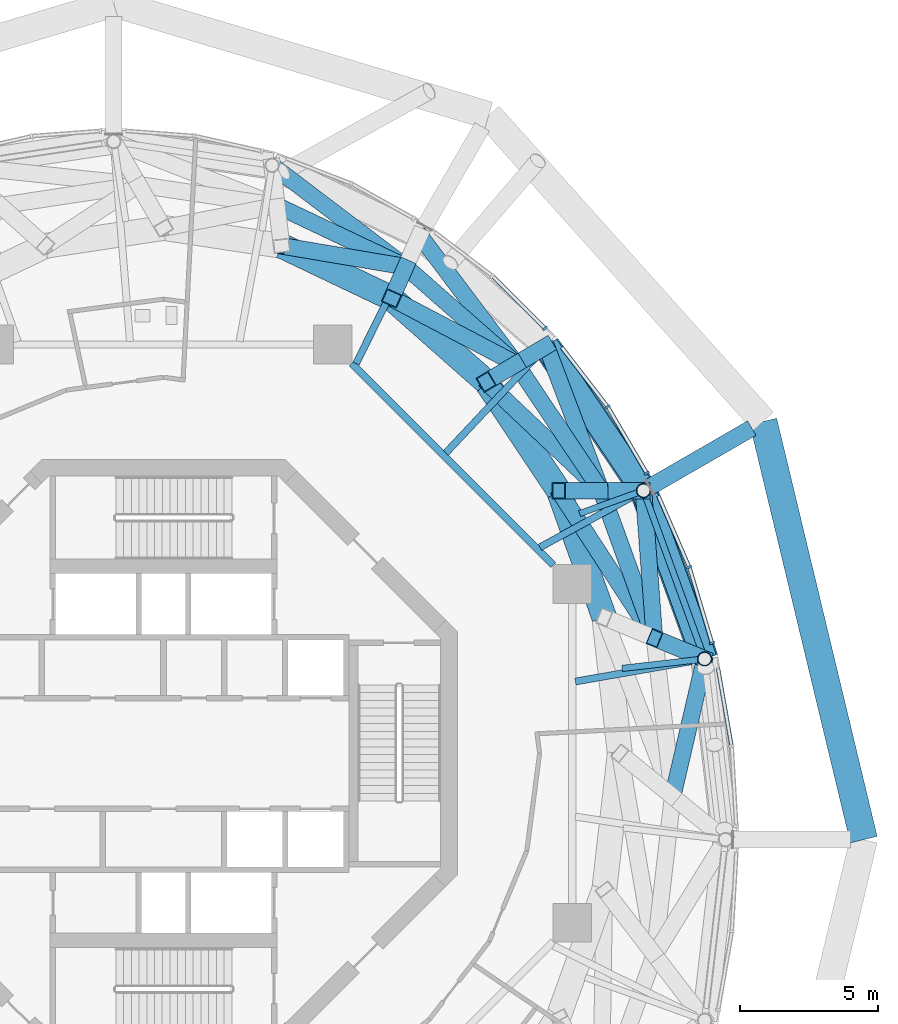
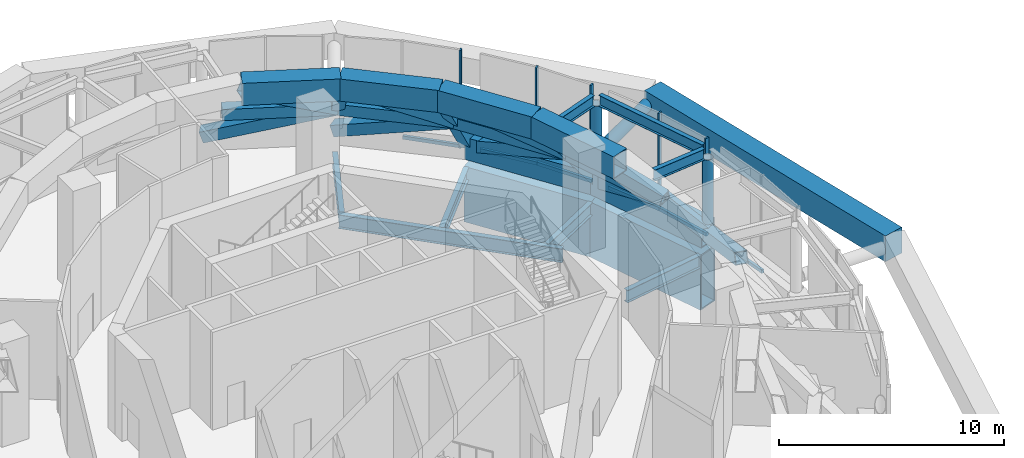
# One storey, part 10 of 22: 35 beams, 15 members, 6 elements without a shape of their own.
"""IFC4 building model written with IfcOpenShell, lengths in metres."""

import ifcopenshell
import ifcopenshell.guid

model = None  # the IFC model being written
_history = None  # IfcOwnerHistory: only IFC2X3 demands one
_inside = {}  # id of a spatial element -> (the spatial element, [elements in it])
_under = {}  # id of a project, library or spatial element -> (it, [spatial elements below it])
_declared = {}  # id of a project -> (the project, [libraries it declares])
_typed = {}  # id of a type object -> (the type object, [elements of that type])
_made_of = {}  # id of a material, layer set ... -> (it, [elements and type objects made of it])


def new_model(schema):
    """Start an empty IFC model of exactly this schema.

    Asked for "IFC4X3", IfcOpenShell would pick the latest addendum, in which some entities
    have other attributes; the version numbers below select the first issue.
    IFC2X3 requires an IfcOwnerHistory on every rooted entity: one is made here for all.
    """
    global model, _history
    if schema == "IFC4X3":
        model = ifcopenshell.file(schema_version=(4, 3, 0, 0))
    else:
        model = ifcopenshell.file(schema=schema)
    _inside.clear()
    _under.clear()
    _declared.clear()
    _typed.clear()
    _made_of.clear()
    _history = None
    if model.schema == "IFC2X3":
        org = make("IfcOrganization", Name="unknown")
        user = make(
            "IfcPersonAndOrganization",
            ThePerson=make("IfcPerson", FamilyName="unknown"),
            TheOrganization=org,
        )
        app = make(
            "IfcApplication",
            ApplicationDeveloper=org,
            Version="unknown",
            ApplicationFullName="unknown",
            ApplicationIdentifier="unknown",
        )
        _history = make(
            "IfcOwnerHistory",
            OwningUser=user,
            OwningApplication=app,
            ChangeAction="ADDED",
            CreationDate=0,
        )
    return model


def make(cls, **values):
    """One entity of the class cls with the attributes given. An attribute that is None is left unset."""
    return model.create_entity(
        cls, **{name: value for name, value in values.items() if value is not None}
    )


def rooted(cls, **values):
    """An entity with a GlobalId (a new one), such as an element, a storey or a relation."""
    return make(cls, GlobalId=ifcopenshell.guid.new(), OwnerHistory=_history, **values)


def si_unit(unit_type, name, prefix=None):
    """IfcSIUnit, for example si_unit("LENGTHUNIT", "METRE", prefix="MILLI")."""
    return make("IfcSIUnit", UnitType=unit_type, Prefix=prefix, Name=name)


def assignment(units):
    """IfcUnitAssignment: the units of a project."""
    return None if units is None else make("IfcUnitAssignment", Units=units)


def point(xyz):
    """IfcCartesianPoint."""
    return None if xyz is None else make("IfcCartesianPoint", Coordinates=xyz)


def direction(xyz):
    """IfcDirection."""
    return None if xyz is None else make("IfcDirection", DirectionRatios=xyz)


def frame(location, z_axis=None, x_axis=None):
    """IfcAxis2Placement3D, a coordinate frame: its origin and axes. An axis left out is left unset."""
    return make(
        "IfcAxis2Placement3D",
        Location=point(location),
        Axis=direction(z_axis),
        RefDirection=direction(x_axis),
    )


def frame_2d(location, x_axis=None):
    """IfcAxis2Placement2D, a coordinate frame in the plane: its origin and x axis."""
    return make(
        "IfcAxis2Placement2D", Location=point(location), RefDirection=direction(x_axis)
    )


def origin():
    """The frame at (0, 0, 0) with its axes left unset."""
    return frame((0.0, 0.0, 0.0))


def origin_2d():
    """The frame at (0, 0) in the plane with its x axis left unset."""
    return frame_2d((0.0, 0.0))


def place(relative_to, where):
    """IfcLocalPlacement: puts the frame where relative to a parent placement (None: the world)."""
    return make(
        "IfcLocalPlacement", PlacementRelTo=relative_to, RelativePlacement=where
    )


def context(
    kind, dimensions, precision=None, world=None, true_north=None, identifier=None
):
    """IfcGeometricRepresentationContext, for example the 3D "Model" context."""
    return make(
        "IfcGeometricRepresentationContext",
        ContextIdentifier=identifier,
        ContextType=kind,
        CoordinateSpaceDimension=dimensions,
        Precision=precision,
        WorldCoordinateSystem=world,
        TrueNorth=true_north,
    )


def subcontext(parent, identifier, kind, view, scale=None):
    """IfcGeometricRepresentationSubContext, for example "Body" below "Model"."""
    return make(
        "IfcGeometricRepresentationSubContext",
        ContextIdentifier=identifier,
        ContextType=kind,
        ParentContext=parent,
        TargetScale=scale,
        TargetView=view,
    )


def project(units=None, contexts=None):
    """IfcProject with its units and contexts."""
    return rooted(
        "IfcProject",
        Name="project",
        RepresentationContexts=contexts,
        UnitsInContext=assignment(units),
    )


def spatial(cls, under=None, at=None, **own):
    """A site, building, storey or space (cls), placed at a placement, below another one or the project."""
    s = rooted(cls, ObjectPlacement=at, **own)
    if under is not None:
        _under.setdefault(under.id(), (under, []))[1].append(s)
    return s


def profile(cls, at=None, kind="AREA", **sizes):
    """A parametric profile (cls). Its sizes go by their IFC names, for example OverallWidth=200.0."""
    return make(cls, ProfileType=kind, Position=at, **sizes)


def rectangle(**sizes):
    """IfcRectangleProfileDef."""
    return profile("IfcRectangleProfileDef", **sizes)


def hollow_rectangle(**sizes):
    """IfcRectangleHollowProfileDef."""
    return profile("IfcRectangleHollowProfileDef", **sizes)


def hollow_circle(**sizes):
    """IfcCircleHollowProfileDef."""
    return profile("IfcCircleHollowProfileDef", **sizes)


def i_section(**sizes):
    """IfcIShapeProfileDef."""
    return profile("IfcIShapeProfileDef", **sizes)


def extrude(swept, where, along, depth):
    """IfcExtrudedAreaSolid: the profile swept, set in the frame where, extruded along a direction by depth."""
    return make(
        "IfcExtrudedAreaSolid",
        SweptArea=swept,
        Position=where,
        ExtrudedDirection=direction(along),
        Depth=depth,
    )


def shape(context_of_items, identifier, shape_type, items):
    """IfcShapeRepresentation: the items that make up one representation, for example the "Body"."""
    return make(
        "IfcShapeRepresentation",
        ContextOfItems=context_of_items,
        RepresentationIdentifier=identifier,
        RepresentationType=shape_type,
        Items=items,
    )


def material(Name=None, Category=None):
    """IfcMaterial."""
    return make("IfcMaterial", Name=Name, Category=Category)


def layer(
    of_material, thickness, ventilated=None, Name=None, Category=None, Priority=None
):
    """IfcMaterialLayer: one layer of a wall or slab, of a material (None: an air gap)."""
    return make(
        "IfcMaterialLayer",
        Material=of_material,
        LayerThickness=thickness,
        IsVentilated=ventilated,
        Name=Name,
        Category=Category,
        Priority=Priority,
    )


def layer_set(layers, Name=None):
    """IfcMaterialLayerSet."""
    return make("IfcMaterialLayerSet", MaterialLayers=layers, LayerSetName=Name)


def material_profile(
    of_material, cross_section, Name=None, Category=None, Priority=None
):
    """IfcMaterialProfile: a cross section and its material."""
    return make(
        "IfcMaterialProfile",
        Name=Name,
        Material=of_material,
        Profile=cross_section,
        Priority=Priority,
        Category=Category,
    )


def profile_set(profiles, Name=None, composite=None):
    """IfcMaterialProfileSet."""
    return make(
        "IfcMaterialProfileSet",
        Name=Name,
        MaterialProfiles=profiles,
        CompositeProfile=composite,
    )


def made_of(thing, what):
    """Note that an element or type object is made of a material, layer set ...; save() writes the relation."""
    if what is not None:
        _made_of.setdefault(what.id(), (what, []))[1].append(thing)
    return thing


def type_object(cls, material=None, **own):
    """A type object (cls), such as IfcWallType, which elements share."""
    return made_of(rooted(cls, **own), material)


def element(
    cls,
    number,
    at=None,
    inside=None,
    cuts=None,
    type_object=None,
    material=None,
    context=None,
    identifier="Body",
    shape_type=None,
    held_by="IfcProductDefinitionShape",
    body=None,
    shapes=None,
    **own,
):
    """One element of the class cls, such as IfcWall. Its Tag is "e" and its number.

    at: its placement. inside: the storey or other place that contains it. cuts: it is an
    opening in that element (IfcRelVoidsElement). A single representation is given by context,
    identifier, shape_type and body (its items); several are given by shapes. held_by: the class
    of the entity that holds the representations. save() writes the other relations.
    """
    e = rooted(cls, Tag="e%d" % number, ObjectPlacement=at, **own)
    if body is not None:
        shapes = [shape(context, identifier, shape_type, body)]
    if shapes is not None:
        e.Representation = make(held_by, Representations=shapes)
    if inside is not None:
        _inside.setdefault(inside.id(), (inside, []))[1].append(e)
    if cuts is not None:
        rooted(
            "IfcRelVoidsElement", RelatingBuildingElement=cuts, RelatedOpeningElement=e
        )
    if type_object is not None:
        _typed.setdefault(type_object.id(), (type_object, []))[1].append(e)
    return made_of(e, material)


def aggregate(whole, parts):
    """IfcRelAggregates: a whole, such as a stair, and the parts it consists of."""
    return rooted("IfcRelAggregates", RelatingObject=whole, RelatedObjects=parts)


def save(model, path):
    """Write the relations noted so far, then the file.

    IfcRelAggregates (storeys below a building ...), IfcRelContainedInSpatialStructure (elements
    in a storey), IfcRelDefinesByType, IfcRelAssociatesMaterial and IfcRelDeclares: one each for
    every whole, place, type object, material and project.
    """
    for whole, parts in _under.values():
        aggregate(whole, parts)
    for where, things in _inside.values():
        rooted(
            "IfcRelContainedInSpatialStructure",
            RelatedElements=things,
            RelatingStructure=where,
        )
    for kind, things in _typed.values():
        rooted("IfcRelDefinesByType", RelatedObjects=things, RelatingType=kind)
    for what, things in _made_of.values():
        rooted("IfcRelAssociatesMaterial", RelatedObjects=things, RelatingMaterial=what)
    for by, libraries in _declared.values():
        rooted("IfcRelDeclares", RelatingContext=by, RelatedDefinitions=libraries)
    model.write(path)


model = new_model("IFC4")

# Units and contexts
model_context = context("Model", 3, precision=1e-05, world=origin(), true_north=direction((0.0, 1.0)))
body_context = subcontext(model_context, "Body", "Model", "MODEL_VIEW")
ifc_project = project(units=[si_unit("LENGTHUNIT", "METRE"), si_unit("AREAUNIT", "SQUARE_METRE"), si_unit("VOLUMEUNIT", "CUBIC_METRE"), si_unit("PLANEANGLEUNIT", "RADIAN"), si_unit("MASSUNIT", "GRAM", prefix="KILO")], contexts=[model_context])

# Site, building, storey
site_placement = place(None, origin())
site = spatial("IfcSite", under=ifc_project, at=site_placement, CompositionType="ELEMENT")
building_placement = place(site_placement, origin())
building = spatial("IfcBuilding", under=site, at=building_placement, Name="Nagisa Residences", CompositionType="ELEMENT")
storey_placement = place(building_placement, frame((0.0, 0.0, 310.300048828125)))
storey = spatial("IfcBuildingStorey", under=building, at=storey_placement, Name="L77", CompositionType="ELEMENT", Elevation=310.300048828125)

# Beams
ifc_material_1 = material(Name="Steel ASTM A572 Gr 50", Category="steel")
ifc_material_profile_1 = material_profile(ifc_material_1, hollow_rectangle(XDim=0.60009765625, YDim=0.60009765625, WallThickness=0.034912109375, at=origin_2d()), Name="BX 600x600x35")
ifc_profile_set_1 = profile_set([ifc_material_profile_1], Name="Steel ASTM A572 Gr 50")
beam_type_1 = type_object("IfcBeamType", Name="Belt chord 6 BX 600x600x35", PredefinedType="BEAM", material=ifc_profile_set_1)
beam_1_placement = place(storey_placement, frame((17.751953125, 4.166259765625, 2.64990234375), z_axis=(-0.340025147767, 0.940416343375, 0.0), x_axis=(-0.940416343375, -0.340025147767, 0.0)))
element("IfcBeam", 1, at=beam_1_placement, inside=storey, type_object=beam_type_1, Name="beam:L77:bt6m02", PredefinedType="BEAM", context=body_context, shape_type="SweptSolid", body=[
    extrude(hollow_rectangle(XDim=0.60009765625, YDim=0.60009765625, WallThickness=0.034912109375, at=origin_2d()), origin(), (0.0, 0.0, 1.0), 5.673095703125),
])
beam_2_placement = place(storey_placement, frame((15.822998046875, 9.501220703125, 2.64990234375), z_axis=(-0.556558433262, 0.830808467918, 0.0), x_axis=(-0.830808467918, -0.556558433262, 0.0)))
element("IfcBeam", 2, at=beam_2_placement, inside=storey, type_object=beam_type_1, Name="beam:L77:bt6m03", PredefinedType="BEAM", context=body_context, shape_type="SweptSolid", body=[
    extrude(hollow_rectangle(XDim=0.60009765625, YDim=0.60009765625, WallThickness=0.034912109375, at=origin_2d()), origin(), (0.0, 0.0, 1.0), 5.513916015625),
])
beam_3_placement = place(storey_placement, frame((12.754150390625, 14.082275390625, 2.64990234375), z_axis=(-0.751083596494, 0.660207112259, 0.0), x_axis=(-0.660207112259, -0.751083596494, 0.0)))
element("IfcBeam", 3, at=beam_3_placement, inside=storey, type_object=beam_type_1, Name="beam:L77:bt6m04", PredefinedType="BEAM", context=body_context, shape_type="SweptSolid", body=[
    extrude(hollow_rectangle(XDim=0.60009765625, YDim=0.60009765625, WallThickness=0.034912109375, at=origin_2d()), origin(), (0.0, 0.0, 1.0), 5.32470703125),
])
beam_4_placement = place(storey_placement, frame((8.7548828125, 17.59765625, 2.64990234375), z_axis=(-0.90345410407, 0.428684828096, 0.0), x_axis=(-0.428684828096, -0.90345410407, 0.0)))
element("IfcBeam", 4, at=beam_4_placement, inside=storey, type_object=beam_type_1, Name="beam:L77:bt6m05", PredefinedType="BEAM", context=body_context, shape_type="SweptSolid", body=[
    extrude(hollow_rectangle(XDim=0.60009765625, YDim=0.60009765625, WallThickness=0.034912109375, at=origin_2d()), origin(), (0.0, 0.0, 1.0), 5.154541015625),
])
ifc_material_2 = material(Name="Steel ASTM A572 Gr 50", Category="steel")
ifc_material_profile_2 = material_profile(ifc_material_2, hollow_rectangle(XDim=0.89990234375, YDim=1.199951171875, WallThickness=0.0400390625, at=origin_2d()), Name="BX 900x1200x40")
ifc_profile_set_2 = profile_set([ifc_material_profile_2], Name="Steel ASTM A572 Gr 50")
beam_type_2 = type_object("IfcBeamType", Name="Belt chord 6 BX 900x1200x40", PredefinedType="BEAM", material=ifc_profile_set_2)
beam_5_placement = place(storey_placement, frame((19.566162109375, 3.414794921875, 0.599853515625), z_axis=(-0.341213297121, 0.939985896632, 0.0), x_axis=(-0.939985896632, -0.341213297121, 0.0)))
element("IfcBeam", 5, at=beam_5_placement, inside=storey, type_object=beam_type_2, Name="beam:L77:bt6b02", PredefinedType="BEAM", context=body_context, shape_type="SweptSolid", body=[
    extrude(hollow_rectangle(XDim=0.89990234375, YDim=1.199951171875, WallThickness=0.0400390625, at=origin_2d()), origin(), (0.0, 0.0, 1.0), 6.47607421875),
])
beam_6_placement = place(storey_placement, frame((15.937744140625, 4.91748046875, 4.699951171875), z_axis=(-0.338488682224, 0.940970462877, 0.0), x_axis=(-0.940970462877, -0.338488682224, 0.0)))
element("IfcBeam", 6, at=beam_6_placement, inside=storey, type_object=beam_type_2, Name="beam:L77:bt6t02", PredefinedType="BEAM", context=body_context, shape_type="SweptSolid", body=[
    extrude(hollow_rectangle(XDim=0.89990234375, YDim=1.199951171875, WallThickness=0.0400390625, at=origin_2d()), origin(), (0.0, 0.0, 1.0), 4.869873046875),
])
beam_7_placement = place(storey_placement, frame((17.3564453125, 9.502197265625, 0.599853515625), z_axis=(-0.558004952096, 0.829837618716, 0.0), x_axis=(-0.829837618716, -0.558004952096, 0.0)))
element("IfcBeam", 7, at=beam_7_placement, inside=storey, type_object=beam_type_2, Name="beam:L77:bt6b03", PredefinedType="BEAM", context=body_context, shape_type="SweptSolid", body=[
    extrude(hollow_rectangle(XDim=0.89990234375, YDim=1.199951171875, WallThickness=0.0400390625, at=origin_2d()), origin(), (0.0, 0.0, 1.0), 6.299560546875),
])
beam_8_placement = place(storey_placement, frame((14.289306640625, 9.5, 4.699951171875), z_axis=(-0.554509546669, 0.832177362497, 0.0), x_axis=(-0.832177362497, -0.554509546669, 0.0)))
element("IfcBeam", 8, at=beam_8_placement, inside=storey, type_object=beam_type_2, Name="beam:L77:bt6t03", PredefinedType="BEAM", context=body_context, shape_type="SweptSolid", body=[
    extrude(hollow_rectangle(XDim=0.89990234375, YDim=1.199951171875, WallThickness=0.0400390625, at=origin_2d()), origin(), (0.0, 0.0, 1.0), 4.728515625),
])
beam_9_placement = place(storey_placement, frame((11.667236328125, 13.43505859375, 4.699951171875), z_axis=(-0.749367388162, 0.662154451438, 0.0), x_axis=(-0.662154451438, -0.749367388162, 0.0)))
element("IfcBeam", 9, at=beam_9_placement, inside=storey, type_object=beam_type_2, Name="beam:L77:bt6t04", PredefinedType="BEAM", context=body_context, shape_type="SweptSolid", body=[
    extrude(hollow_rectangle(XDim=0.89990234375, YDim=1.199951171875, WallThickness=0.0400390625, at=origin_2d()), origin(), (0.0, 0.0, 1.0), 4.56005859375),
])
beam_10_placement = place(storey_placement, frame((8.25, 16.45458984375, 4.699951171875), z_axis=(-0.902600371107, 0.430479465337, 0.0), x_axis=(-0.430479465337, -0.902600371107, 0.0)))
element("IfcBeam", 10, at=beam_10_placement, inside=storey, type_object=beam_type_2, Name="beam:L77:bt6t05", PredefinedType="BEAM", context=body_context, shape_type="SweptSolid", body=[
    extrude(hollow_rectangle(XDim=0.89990234375, YDim=1.199951171875, WallThickness=0.0400390625, at=origin_2d()), origin(), (0.0, 0.0, 1.0), 4.408935546875),
])
ifc_material_3 = material(Name="Steel ASTM A572 Gr 50", Category="steel")
ifc_material_profile_3 = material_profile(ifc_material_3, hollow_rectangle(XDim=0.60009765625, YDim=0.60009765625, WallThickness=0.034912109375, at=origin_2d()), Name="BX 600x600x35")
ifc_profile_set_3 = profile_set([ifc_material_profile_3], Name="Steel ASTM A572 Gr 50")
beam_type_3 = type_object("IfcBeamType", Name="Belt diagonal 6 BX 600x600x35", PredefinedType="BEAM", material=ifc_profile_set_3)
beam_11_placement = place(storey_placement, frame((19.566162109375, 3.414794921875, 0.599853515625), z_axis=(-0.210134772608, -0.903898983864, 0.372572146451), x_axis=(0.974025686791, -0.226437544308, 0.0)))
element("IfcBeam", 11, at=beam_11_placement, inside=storey, type_object=beam_type_3, Name="beam:L77:bt6lb01", PredefinedType="BEAM", context=body_context, shape_type="SweptSolid", body=[
    extrude(hollow_rectangle(XDim=0.60009765625, YDim=0.60009765625, WallThickness=0.034912109375, at=origin_2d()), origin(), (0.0, 0.0, 1.0), 5.50244140625),
])
beam_12_placement = place(storey_placement, frame((19.566162109375, 3.414794921875, 0.599853515625), z_axis=(-0.639077265183, 0.26471266616, 0.722154729612), x_axis=(-0.382681205745, -0.923880454805, 0.0)))
element("IfcBeam", 12, at=beam_12_placement, inside=storey, type_object=beam_type_3, Name="beam:L77:bt6la02", PredefinedType="BEAM", context=body_context, shape_type="SweptSolid", body=[
    extrude(hollow_rectangle(XDim=0.60009765625, YDim=0.60009765625, WallThickness=0.034912109375, at=origin_2d()), origin(), (0.0, 0.0, 1.0), 2.8388671875),
])
beam_13_placement = place(storey_placement, frame((17.3564453125, 9.502197265625, 0.599853515625), z_axis=(0.069025674454, -0.931250086961, 0.357783079256), x_axis=(0.997264267376, 0.073918746026, 0.0)))
element("IfcBeam", 13, at=beam_13_placement, inside=storey, type_object=beam_type_3, Name="beam:L77:bt6lb02", PredefinedType="BEAM", context=body_context, shape_type="SweptSolid", body=[
    extrude(hollow_rectangle(XDim=0.60009765625, YDim=0.60009765625, WallThickness=0.034912109375, at=origin_2d()), origin(), (0.0, 0.0, 1.0), 5.72998046875),
])
beam_14_placement = place(storey_placement, frame((17.751953125, 4.166259765625, 2.64990234375), z_axis=(-0.518249896308, 0.798294118638, 0.306828201318), x_axis=(-0.8387513612, -0.544514604106, 0.0)))
element("IfcBeam", 14, at=beam_14_placement, inside=storey, type_object=beam_type_3, Name="beam:L77:bt6ub02", PredefinedType="BEAM", context=body_context, shape_type="SweptSolid", body=[
    extrude(hollow_rectangle(XDim=0.60009765625, YDim=0.60009765625, WallThickness=0.034912109375, at=origin_2d()), origin(), (0.0, 0.0, 1.0), 6.681396484375),
])
beam_15_placement = place(storey_placement, frame((17.3564453125, 9.502197265625, 0.599853515625), z_axis=(-0.598977171402, -0.000381453381, 0.800766009913), x_axis=(0.000636841138, -0.999999797217, 0.0)))
element("IfcBeam", 15, at=beam_15_placement, inside=storey, type_object=beam_type_3, Name="beam:L77:bt6la03", PredefinedType="BEAM", context=body_context, shape_type="SweptSolid", body=[
    extrude(hollow_rectangle(XDim=0.60009765625, YDim=0.60009765625, WallThickness=0.034912109375, at=origin_2d()), origin(), (0.0, 0.0, 1.0), 2.56005859375),
])
beam_16_placement = place(storey_placement, frame((13.84130859375, 14.729736328125, 0.599853515625), z_axis=(0.332753273257, -0.877940630785, 0.344231764881), x_axis=(0.935088861, 0.354413349119, 0.0)))
element("IfcBeam", 16, at=beam_16_placement, inside=storey, type_object=beam_type_3, Name="beam:L77:bt6lb03", PredefinedType="BEAM", context=body_context, shape_type="SweptSolid", body=[
    extrude(hollow_rectangle(XDim=0.60009765625, YDim=0.60009765625, WallThickness=0.034912109375, at=origin_2d()), origin(), (0.0, 0.0, 1.0), 5.955322265625),
])
beam_17_placement = place(storey_placement, frame((15.822998046875, 9.501220703125, 2.64990234375), z_axis=(-0.599038291141, -0.000476789471, 0.800720237298), x_axis=(0.000795924613, -0.999999683252, 0.0)))
element("IfcBeam", 17, at=beam_17_placement, inside=storey, type_object=beam_type_3, Name="beam:L77:bt6ua03", PredefinedType="BEAM", context=body_context, shape_type="SweptSolid", body=[
    extrude(hollow_rectangle(XDim=0.60009765625, YDim=0.60009765625, WallThickness=0.034912109375, at=origin_2d()), origin(), (0.0, 0.0, 1.0), 2.560302734375),
])
beam_18_placement = place(storey_placement, frame((15.822998046875, 9.501220703125, 2.64990234375), z_axis=(-0.683682353073, 0.647172703271, 0.337262408575), x_axis=(-0.687449927284, -0.726231779446, 0.0)))
element("IfcBeam", 18, at=beam_18_placement, inside=storey, type_object=beam_type_3, Name="beam:L77:bt6ub03", PredefinedType="BEAM", context=body_context, shape_type="SweptSolid", body=[
    extrude(hollow_rectangle(XDim=0.60009765625, YDim=0.60009765625, WallThickness=0.034912109375, at=origin_2d()), origin(), (0.0, 0.0, 1.0), 6.07861328125),
])
beam_19_placement = place(storey_placement, frame((13.84130859375, 14.729736328125, 0.599853515625), z_axis=(-0.451269335893, -0.268755059238, 0.850956347068), x_axis=(0.511683976473, -0.85917373576, 0.0)))
element("IfcBeam", 19, at=beam_19_placement, inside=storey, type_object=beam_type_3, Name="beam:L77:bt6la04", PredefinedType="BEAM", context=body_context, shape_type="SweptSolid", body=[
    extrude(hollow_rectangle(XDim=0.60009765625, YDim=0.60009765625, WallThickness=0.034912109375, at=origin_2d()), origin(), (0.0, 0.0, 1.0), 2.4091796875),
])
beam_20_placement = place(storey_placement, frame((9.260009765625, 18.74072265625, 0.599853515625), z_axis=(0.565984669335, -0.75458031551, 0.332069121605), x_axis=(0.799974844174, 0.600033539637, 0.0)))
element("IfcBeam", 20, at=beam_20_placement, inside=storey, type_object=beam_type_3, Name="beam:L77:bt6lb04", PredefinedType="BEAM", context=body_context, shape_type="SweptSolid", body=[
    extrude(hollow_rectangle(XDim=0.60009765625, YDim=0.60009765625, WallThickness=0.034912109375, at=origin_2d()), origin(), (0.0, 0.0, 1.0), 6.173583984375),
])
beam_21_placement = place(storey_placement, frame((12.754150390625, 14.082275390625, 2.64990234375), z_axis=(-0.451200915009, -0.268673321134, 0.851018437406), x_axis=(0.511626356261, -0.859208049066, 0.0)))
element("IfcBeam", 21, at=beam_21_placement, inside=storey, type_object=beam_type_3, Name="beam:L77:bt6ua04", PredefinedType="BEAM", context=body_context, shape_type="SweptSolid", body=[
    extrude(hollow_rectangle(XDim=0.60009765625, YDim=0.60009765625, WallThickness=0.034912109375, at=origin_2d()), origin(), (0.0, 0.0, 1.0), 2.408935546875),
])
beam_22_placement = place(storey_placement, frame((12.754150390625, 14.082275390625, 2.64990234375), z_axis=(-0.820729798834, 0.432274456896, 0.373552394212), x_axis=(-0.466009297819, -0.884779822524, 0.0)))
element("IfcBeam", 22, at=beam_22_placement, inside=storey, type_object=beam_type_3, Name="beam:L77:bt6ub04", PredefinedType="BEAM", context=body_context, shape_type="SweptSolid", body=[
    extrude(hollow_rectangle(XDim=0.60009765625, YDim=0.60009765625, WallThickness=0.034912109375, at=origin_2d()), origin(), (0.0, 0.0, 1.0), 5.488037109375),
])
beam_23_placement = place(storey_placement, frame((3.925048828125, 21.26220703125, 0.599853515625), z_axis=(0.754671427022, -0.572593545954, 0.32032431748), x_axis=(0.604442887336, 0.796648477027, 0.0)))
element("IfcBeam", 23, at=beam_23_placement, inside=storey, type_object=beam_type_3, Name="beam:L77:bt6lb05", PredefinedType="BEAM", context=body_context, shape_type="SweptSolid", body=[
    extrude(hollow_rectangle(XDim=0.60009765625, YDim=0.60009765625, WallThickness=0.034912109375, at=origin_2d()), origin(), (0.0, 0.0, 1.0), 6.39990234375),
])
beam_24_placement = place(storey_placement, frame((8.7548828125, 17.59765625, 2.64990234375), z_axis=(-0.210291044104, -0.476103804881, 0.853875192137), x_axis=(0.914743704451, -0.404034596498, 0.0)))
element("IfcBeam", 24, at=beam_24_placement, inside=storey, type_object=beam_type_3, Name="beam:L77:bt6ua05", PredefinedType="BEAM", context=body_context, shape_type="SweptSolid", body=[
    extrude(hollow_rectangle(XDim=0.60009765625, YDim=0.60009765625, WallThickness=0.034912109375, at=origin_2d()), origin(), (0.0, 0.0, 1.0), 2.40087890625),
])
beam_25_placement = place(storey_placement, frame((8.7548828125, 17.59765625, 2.64990234375), z_axis=(-0.898996123358, 0.151333624424, 0.410979445113), x_axis=(-0.166000679098, -0.986125638313, 0.0)))
element("IfcBeam", 25, at=beam_25_placement, inside=storey, type_object=beam_type_3, Name="beam:L77:bt6ub05", PredefinedType="BEAM", context=body_context, shape_type="SweptSolid", body=[
    extrude(hollow_rectangle(XDim=0.60009765625, YDim=0.60009765625, WallThickness=0.034912109375, at=origin_2d()), origin(), (0.0, 0.0, 1.0), 4.98828125),
])

# Curtain wall, member
ifc_material_4 = material(Name="Aluminium curtain wall system", Category="aluminium")
ifc_layer = layer(ifc_material_4, 0.159912109375)
ifc_layer_set = layer_set([ifc_layer], Name="CW2 CURTAIN WALL")
curtain_wall_type = type_object("IfcCurtainWallType", Name="CW2 CURTAIN WALL", PredefinedType="NOTDEFINED", material=ifc_layer_set)
curtain_wall_1_placement = place(storey_placement, origin())
curtain_wall_1 = element("IfcCurtainWall", 26, at=curtain_wall_1_placement, inside=storey, type_object=curtain_wall_type, Name="cw:CW2:L77:02", PredefinedType="NOTDEFINED")
ifc_material_5 = material(Name="Aluminium", Category="aluminium")
ifc_material_profile_4 = material_profile(ifc_material_5, rectangle(XDim=0.199951171875, YDim=0.080078125, at=origin_2d()), Name="CW2 MULLION 200x80")
ifc_profile_set_4 = profile_set([ifc_material_profile_4], Name="Aluminium")
member_type_1 = type_object("IfcMemberType", Name="CW2 MULLION 200x80", PredefinedType="MULLION", material=ifc_profile_set_4)
member_1_placement = place(storey_placement, frame((19.83251953125, 3.990966796875, 0.0), z_axis=(0.0, 0.0, 1.0), x_axis=(-0.958271310082, -0.285860274038, 0.0)))
member_1 = element("IfcMember", 27, at=member_1_placement, type_object=member_type_1, Name="CW2 mullion", PredefinedType="MULLION", context=body_context, shape_type="SweptSolid", body=[
    extrude(rectangle(XDim=0.199951171875, YDim=0.080078125, at=origin_2d()), origin(), (0.0, 0.0, 1.0), 5.300048828125),
])

curtain_wall_2_placement = place(storey_placement, origin())
curtain_wall_2 = element("IfcCurtainWall", 28, at=curtain_wall_2_placement, inside=storey, type_object=curtain_wall_type, Name="cw:CW2:L77:03", PredefinedType="NOTDEFINED")
member_2_placement = place(storey_placement, frame((19.0087890625, 6.737548828125, 0.0), z_axis=(0.0, 0.0, 1.0), x_axis=(-0.917543276295, -0.397635934147, 0.0)))
member_2 = element("IfcMember", 29, at=member_2_placement, type_object=member_type_1, Name="CW2 mullion", PredefinedType="MULLION", context=body_context, shape_type="SweptSolid", body=[
    extrude(rectangle(XDim=0.199951171875, YDim=0.080078125, at=origin_2d()), origin(), (0.0, 0.0, 1.0), 5.300048828125),
])

curtain_wall_3_placement = place(storey_placement, origin())
curtain_wall_3 = element("IfcCurtainWall", 30, at=curtain_wall_3_placement, inside=storey, type_object=curtain_wall_type, Name="cw:CW2:L77:04", PredefinedType="NOTDEFINED")
member_3_placement = place(storey_placement, frame((17.472412109375, 10.13427734375, 0.0), z_axis=(0.0, 0.0, 1.0), x_axis=(-0.862328898214, -0.506348567002, 0.0)))
member_3 = element("IfcMember", 31, at=member_3_placement, type_object=member_type_1, Name="CW2 mullion", PredefinedType="MULLION", context=body_context, shape_type="SweptSolid", body=[
    extrude(rectangle(XDim=0.199951171875, YDim=0.080078125, at=origin_2d()), origin(), (0.0, 0.0, 1.0), 5.300048828125),
])

curtain_wall_4_placement = place(storey_placement, origin())
curtain_wall_4 = element("IfcCurtainWall", 32, at=curtain_wall_4_placement, inside=storey, type_object=curtain_wall_type, Name="cw:CW2:L77:05", PredefinedType="NOTDEFINED")
member_4_placement = place(storey_placement, frame((16.057861328125, 12.53466796875, 0.0), z_axis=(0.0, 0.0, 1.0), x_axis=(-0.792070340816, -0.610429828235, 0.0)))
member_4 = element("IfcMember", 33, at=member_4_placement, type_object=member_type_1, Name="CW2 mullion", PredefinedType="MULLION", context=body_context, shape_type="SweptSolid", body=[
    extrude(rectangle(XDim=0.199951171875, YDim=0.080078125, at=origin_2d()), origin(), (0.0, 0.0, 1.0), 5.300048828125),
])

curtain_wall_5_placement = place(storey_placement, origin())
curtain_wall_5 = element("IfcCurtainWall", 34, at=curtain_wall_5_placement, inside=storey, type_object=curtain_wall_type, Name="cw:CW2:L77:06", PredefinedType="NOTDEFINED")
member_5_placement = place(storey_placement, frame((13.79150390625, 15.372802734375, 0.0), z_axis=(0.0, 0.0, 1.0), x_axis=(-0.706376885714, -0.707835924016, 0.0)))
member_5 = element("IfcMember", 35, at=member_5_placement, type_object=member_type_1, Name="CW2 mullion", PredefinedType="MULLION", context=body_context, shape_type="SweptSolid", body=[
    extrude(rectangle(XDim=0.199951171875, YDim=0.080078125, at=origin_2d()), origin(), (0.0, 0.0, 1.0), 5.300048828125),
])

curtain_wall_6_placement = place(storey_placement, origin())
curtain_wall_6 = element("IfcCurtainWall", 36, at=curtain_wall_6_placement, inside=storey, type_object=curtain_wall_type, Name="cw:CW2:L77:01", PredefinedType="NOTDEFINED")
ifc_material_6 = material(Name="Aluminium", Category="aluminium")
ifc_material_profile_5 = material_profile(ifc_material_6, rectangle(XDim=0.139892578125, YDim=0.179931640625, at=origin_2d()), Name="CW2 TRANSOM 140x180")
ifc_profile_set_5 = profile_set([ifc_material_profile_5], Name="Aluminium")
member_type_2 = type_object("IfcMemberType", Name="CW2 TRANSOM 140x180", PredefinedType="USERDEFINED", material=ifc_profile_set_5)
member_6_placement = place(storey_placement, frame((20.547607421875, 0.228271484375, 0.08984375), z_axis=(-0.172196679668, 0.985062588626, 0.0), x_axis=(-0.985062588626, -0.172196679668, 0.0)))
member_6 = element("IfcMember", 37, at=member_6_placement, type_object=member_type_2, Name="CW2 transom", ObjectType="TRANSOM", PredefinedType="USERDEFINED", context=body_context, shape_type="SweptSolid", body=[
    extrude(rectangle(XDim=0.139892578125, YDim=0.179931640625, at=origin_2d()), origin(), (0.0, 0.0, 1.0), 2.90234375),
])
aggregate(curtain_wall_6, [member_6])

# Member
member_7_placement = place(storey_placement, frame((19.843994140625, 3.95263671875, 0.08984375), z_axis=(-0.285876209024, 0.9582665564, 0.0), x_axis=(-0.9582665564, -0.285876209024, 0.0)))
member_7 = element("IfcMember", 38, at=member_7_placement, type_object=member_type_2, Name="CW2 transom", ObjectType="TRANSOM", PredefinedType="USERDEFINED", context=body_context, shape_type="SweptSolid", body=[
    extrude(rectangle(XDim=0.139892578125, YDim=0.179931640625, at=origin_2d()), origin(), (0.0, 0.0, 1.0), 2.877197265625),
])

aggregate(curtain_wall_1, [member_1, member_7])

member_8_placement = place(storey_placement, frame((19.024658203125, 6.70068359375, 0.08984375), z_axis=(-0.397597791596, 0.9175598052, 0.0), x_axis=(-0.9175598052, -0.397597791596, 0.0)))
member_8 = element("IfcMember", 39, at=member_8_placement, type_object=member_type_2, Name="CW2 transom", ObjectType="TRANSOM", PredefinedType="USERDEFINED", context=body_context, shape_type="SweptSolid", body=[
    extrude(rectangle(XDim=0.139892578125, YDim=0.179931640625, at=origin_2d()), origin(), (0.0, 0.0, 1.0), 2.841064453125),
])

aggregate(curtain_wall_2, [member_2, member_8])

member_9_placement = place(storey_placement, frame((17.49267578125, 10.099853515625, 0.08984375), z_axis=(-0.506371364425, 0.862315511452, 0.0), x_axis=(-0.862315511452, -0.506371364425, 0.0)))
member_9 = element("IfcMember", 40, at=member_9_placement, type_object=member_type_2, Name="CW2 transom", ObjectType="TRANSOM", PredefinedType="USERDEFINED", context=body_context, shape_type="SweptSolid", body=[
    extrude(rectangle(XDim=0.139892578125, YDim=0.179931640625, at=origin_2d()), origin(), (0.0, 0.0, 1.0), 2.79638671875),
])

aggregate(curtain_wall_3, [member_3, member_9])

member_10_placement = place(storey_placement, frame((16.082275390625, 12.5029296875, 0.08984375), z_axis=(-0.610432336622, 0.792068407656, 0.0), x_axis=(-0.792068407656, -0.610432336622, 0.0)))
member_10 = element("IfcMember", 41, at=member_10_placement, type_object=member_type_2, Name="CW2 transom", ObjectType="TRANSOM", PredefinedType="USERDEFINED", context=body_context, shape_type="SweptSolid", body=[
    extrude(rectangle(XDim=0.139892578125, YDim=0.179931640625, at=origin_2d()), origin(), (0.0, 0.0, 1.0), 2.74609375),
])

aggregate(curtain_wall_4, [member_4, member_10])

member_11_placement = place(storey_placement, frame((13.81982421875, 15.344482421875, 0.08984375), z_axis=(-0.707876975297, 0.706335747251, 0.0), x_axis=(-0.706335747251, -0.707876975297, 0.0)))
member_11 = element("IfcMember", 42, at=member_11_placement, type_object=member_type_2, Name="CW2 transom", ObjectType="TRANSOM", PredefinedType="USERDEFINED", context=body_context, shape_type="SweptSolid", body=[
    extrude(rectangle(XDim=0.139892578125, YDim=0.179931640625, at=origin_2d()), origin(), (0.0, 0.0, 1.0), 2.69287109375),
])

aggregate(curtain_wall_5, [member_5, member_11])

# Members
ifc_material_7 = material(Name="Concrete C80", Category="concrete")
ifc_material_profile_6 = material_profile(ifc_material_7, rectangle(XDim=1.0, YDim=1.39990234375, at=origin_2d()), Name="C80 1000x1400")
ifc_profile_set_6 = profile_set([ifc_material_profile_6], Name="Concrete C80")
member_type_3 = type_object("IfcMemberType", Name="Cage ring 6 C80 1000x1400", PredefinedType="CHORD", material=ifc_profile_set_6)
member_12_placement = place(storey_placement, frame((25.320068359375, -3.11767578125, 1.89990234375), z_axis=(-0.233663309199, 0.972317570516, 0.0), x_axis=(-0.972317570516, -0.233663309199, 0.0)))
element("IfcMember", 43, at=member_12_placement, inside=storey, type_object=member_type_3, Name="beam:L77:cg6r101", PredefinedType="CHORD", context=body_context, shape_type="SweptSolid", body=[
    extrude(rectangle(XDim=1.0, YDim=1.39990234375, at=origin_2d()), origin(), (0.0, 0.0, 1.0), 15.55029296875),
])
ifc_material_8 = material(Name="Steel ASTM A572 Gr 65", Category="steel")
ifc_material_profile_7 = material_profile(ifc_material_8, hollow_circle(Radius=0.304931640625, WallThickness=0.02490234375, at=origin_2d()), Name="CHS 610x25")
ifc_profile_set_7 = profile_set([ifc_material_profile_7], Name="Steel ASTM A572 Gr 65")
member_type_4 = type_object("IfcMemberType", Name="Cage strut CHS 610x25", PredefinedType="STRUT", material=ifc_profile_set_7)
member_13_placement = place(storey_placement, frame((21.27099609375, 11.76220703125, 1.89990234375), z_axis=(-0.866051539225, -0.499954729356, 0.0), x_axis=(0.499954729356, -0.866051539225, 0.0)))
element("IfcMember", 44, at=member_13_placement, inside=storey, type_object=member_type_4, Name="mem:L77:cg6tie02", PredefinedType="STRUT", context=body_context, shape_type="SweptSolid", body=[
    extrude(hollow_circle(Radius=0.304931640625, WallThickness=0.02490234375, at=origin_2d()), origin(), (0.0, 0.0, 1.0), 4.24609375),
])

# Beam
ifc_material_9 = material(Name="Steel ASTM A572 Gr 50", Category="steel")
ifc_material_profile_8 = material_profile(ifc_material_9, i_section(OverallWidth=0.22802734375, OverallDepth=0.60302734375, WebThickness=0.010498046875, FlangeThickness=0.014892578125, at=origin_2d()), Name="W610x101")
ifc_profile_set_8 = profile_set([ifc_material_profile_8], Name="Steel ASTM A572 Gr 50")
beam_type_4 = type_object("IfcBeamType", Name="Garden edge beam W610x101", PredefinedType="BEAM", material=ifc_profile_set_8)
beam_26_placement = place(storey_placement, frame((19.486328125, 3.634765625, 4.99853515625), z_axis=(-0.341204679123, 0.939989024907, 0.0), x_axis=(-0.939989024907, -0.341204679123, 0.0)))
element("IfcBeam", 45, at=beam_26_placement, inside=storey, type_object=beam_type_4, Name="beam:L77:bt6ge02", PredefinedType="BEAM", context=body_context, shape_type="SweptSolid", body=[
    extrude(i_section(OverallWidth=0.22802734375, OverallDepth=0.60302734375, WebThickness=0.010498046875, FlangeThickness=0.014892578125, at=origin_2d()), origin(), (0.0, 0.0, 1.0), 6.00830078125),
])

# Members
ifc_material_10 = material(Name="Steel ASTM A572 Gr 65", Category="steel")
ifc_material_profile_9 = material_profile(ifc_material_10, hollow_circle(Radius=0.25390625, WallThickness=0.02001953125, at=origin_2d()), Name="CHS 508x20")
ifc_profile_set_9 = profile_set([ifc_material_profile_9], Name="Steel ASTM A572 Gr 65")
member_type_5 = type_object("IfcMemberType", Name="Garden edge post CHS 508x20", PredefinedType="POST", material=ifc_profile_set_9)
for number, where, z_axis, x_axis, name in (
    (46, (19.566162109375, 3.414794921875, 1.199951171875), (0.0, 0.0, 1.0), (1.0, 0.0, 0.0), "mem:L77:gp602"),
    (47, (17.3564453125, 9.502197265625, 1.199951171875), (0.0, 0.0, 1.0), (1.0, 0.0, 0.0), "mem:L77:gp603"),
):
    element("IfcMember", number, at=place(storey_placement, frame(where, z_axis=z_axis, x_axis=x_axis)), inside=storey, type_object=member_type_5, Name=name, PredefinedType="POST", context=body_context, shape_type="SweptSolid", body=[
        extrude(hollow_circle(Radius=0.25390625, WallThickness=0.02001953125, at=origin_2d()), origin(), (0.0, 0.0, 1.0), 3.4970703125),
    ])

# Beams
ifc_material_11 = material(Name="Steel ASTM A572 Gr 50", Category="steel")
ifc_material_profile_10 = material_profile(ifc_material_11, i_section(OverallWidth=0.22802734375, OverallDepth=0.60302734375, WebThickness=0.010498046875, FlangeThickness=0.014892578125, at=origin_2d()), Name="W610x101")
ifc_profile_set_10 = profile_set([ifc_material_profile_10], Name="Steel ASTM A572 Gr 50")
beam_type_5 = type_object("IfcBeamType", Name="Garden radial beam W610x101", PredefinedType="BEAM", material=ifc_profile_set_10)
beam_27_placement = place(storey_placement, frame((19.333740234375, 3.388427734375, 4.99853515625), z_axis=(-0.993527274644, -0.113593813821, 0.0), x_axis=(0.113593813821, -0.993527274644, 0.0)))
element("IfcBeam", 48, at=beam_27_placement, inside=storey, type_object=beam_type_5, Name="beam:L77:bt6gr02", PredefinedType="BEAM", context=body_context, shape_type="SweptSolid", body=[
    extrude(i_section(OverallWidth=0.22802734375, OverallDepth=0.60302734375, WebThickness=0.010498046875, FlangeThickness=0.014892578125, at=origin_2d()), origin(), (0.0, 0.0, 1.0), 2.770263671875),
])
beam_28_placement = place(storey_placement, frame((17.13623046875, 9.423095703125, 4.99853515625), z_axis=(-0.940961598327, -0.338513323923, 0.0), x_axis=(0.338513323923, -0.940961598327, 0.0)))
element("IfcBeam", 49, at=beam_28_placement, inside=storey, type_object=beam_type_5, Name="beam:L77:bt6gr03", PredefinedType="BEAM", context=body_context, shape_type="SweptSolid", body=[
    extrude(i_section(OverallWidth=0.22802734375, OverallDepth=0.60302734375, WebThickness=0.010498046875, FlangeThickness=0.014892578125, at=origin_2d()), origin(), (0.0, 0.0, 1.0), 2.222900390625),
])
ifc_material_12 = material(Name="Steel ASTM A572 Gr 50", Category="steel")
ifc_material_profile_11 = material_profile(ifc_material_12, i_section(OverallWidth=0.264892578125, OverallDepth=0.7529296875, WebThickness=0.01318359375, FlangeThickness=0.01708984375, at=origin_2d()), Name="W760x147")
ifc_profile_set_11 = profile_set([ifc_material_profile_11], Name="Steel ASTM A572 Gr 50")
beam_type_6 = type_object("IfcBeamType", Name="Inner ring beam W760x147", PredefinedType="BEAM", material=ifc_profile_set_11)
beam_29_placement = place(storey_placement, frame((14.09619140625, 6.808837890625, -0.7265625), z_axis=(-0.707106781187, 0.707106781187, 0.0), x_axis=(-0.707106781187, -0.707106781187, 0.0)))
element("IfcBeam", 50, at=beam_29_placement, inside=storey, type_object=beam_type_6, Name="beam:L77:ib1", PredefinedType="BEAM", context=body_context, shape_type="SweptSolid", body=[
    extrude(i_section(OverallWidth=0.264892578125, OverallDepth=0.7529296875, WebThickness=0.01318359375, FlangeThickness=0.01708984375, at=origin_2d()), origin(), (0.0, 0.0, 1.0), 10.305908203125),
])
ifc_material_13 = material(Name="Steel ASTM A572 Gr 50", Category="steel")
ifc_material_profile_12 = material_profile(ifc_material_13, hollow_rectangle(XDim=1.0, YDim=3.0, WallThickness=0.070068359375, at=origin_2d()), Name="BX 1000x3000x70")
ifc_profile_set_12 = profile_set([ifc_material_profile_12], Name="Steel ASTM A572 Gr 50")
beam_type_7 = type_object("IfcBeamType", Name="Portal lintel girder BX 1000x3000x70", PredefinedType="BEAM", material=ifc_profile_set_12)
beam_30_placement = place(storey_placement, frame((19.566162109375, 3.414794921875, -1.85009765625), z_axis=(-0.341213297121, 0.939985896632, 0.0), x_axis=(-0.939985896632, -0.341213297121, 0.0)))
element("IfcBeam", 51, at=beam_30_placement, inside=storey, type_object=beam_type_7, Name="beam:L77:pb02", PredefinedType="BEAM", context=body_context, shape_type="SweptSolid", body=[
    extrude(hollow_rectangle(XDim=1.0, YDim=3.0, WallThickness=0.070068359375, at=origin_2d()), origin(), (0.0, 0.0, 1.0), 6.47607421875),
])
beam_31_placement = place(storey_placement, frame((17.3564453125, 9.502197265625, -1.85009765625), z_axis=(-0.558004952096, 0.829837618716, 0.0), x_axis=(-0.829837618716, -0.558004952096, 0.0)))
element("IfcBeam", 52, at=beam_31_placement, inside=storey, type_object=beam_type_7, Name="beam:L77:pb03", PredefinedType="BEAM", context=body_context, shape_type="SweptSolid", body=[
    extrude(hollow_rectangle(XDim=1.0, YDim=3.0, WallThickness=0.070068359375, at=origin_2d()), origin(), (0.0, 0.0, 1.0), 6.299560546875),
])
ifc_material_14 = material(Name="Steel ASTM A572 Gr 50", Category="steel")
ifc_material_profile_13 = material_profile(ifc_material_14, i_section(OverallWidth=0.2529296875, OverallDepth=0.677978515625, WebThickness=0.01171875, FlangeThickness=0.016357421875, at=origin_2d()), Name="W690x125")
ifc_profile_set_13 = profile_set([ifc_material_profile_13], Name="Steel ASTM A572 Gr 50")
beam_type_8 = type_object("IfcBeamType", Name="Radial beam W690x125", PredefinedType="BEAM", material=ifc_profile_set_13)
beam_32_placement = place(storey_placement, frame((19.092529296875, 3.332275390625, -0.68896484375), z_axis=(-0.985107709282, -0.171938364287, 0.0), x_axis=(0.171938364287, -0.985107709282, 0.0)))
element("IfcBeam", 53, at=beam_32_placement, inside=storey, type_object=beam_type_8, Name="beam:L77:rb02", PredefinedType="BEAM", context=body_context, shape_type="SweptSolid", body=[
    extrude(i_section(OverallWidth=0.2529296875, OverallDepth=0.677978515625, WebThickness=0.01171875, FlangeThickness=0.016357421875, at=origin_2d()), origin(), (0.0, 0.0, 1.0), 4.26123046875),
])
beam_33_placement = place(storey_placement, frame((16.935302734375, 9.271728515625, -0.68896484375), z_axis=(-0.877153150094, -0.480210736323, 0.0), x_axis=(0.480210736323, -0.877153150094, 0.0)))
element("IfcBeam", 54, at=beam_33_placement, inside=storey, type_object=beam_type_8, Name="beam:L77:rb03", PredefinedType="BEAM", context=body_context, shape_type="SweptSolid", body=[
    extrude(i_section(OverallWidth=0.2529296875, OverallDepth=0.677978515625, WebThickness=0.01171875, FlangeThickness=0.016357421875, at=origin_2d()), origin(), (0.0, 0.0, 1.0), 3.7880859375),
])
beam_34_placement = place(storey_placement, frame((13.510986328125, 14.378173828125, -0.68896484375), z_axis=(-0.684795105325, -0.728735661075, 0.0), x_axis=(0.728735661075, -0.684795105325, 0.0)))
element("IfcBeam", 55, at=beam_34_placement, inside=storey, type_object=beam_type_8, Name="beam:L77:rb04", PredefinedType="BEAM", context=body_context, shape_type="SweptSolid", body=[
    extrude(i_section(OverallWidth=0.2529296875, OverallDepth=0.677978515625, WebThickness=0.01171875, FlangeThickness=0.016357421875, at=origin_2d()), origin(), (0.0, 0.0, 1.0), 4.828369140625),
])
beam_35_placement = place(storey_placement, frame((9.045654296875, 18.30712890625, -0.68896484375), z_axis=(-0.442964094267, -0.89653935284, 0.0), x_axis=(0.89653935284, -0.442964094267, 0.0)))
element("IfcBeam", 56, at=beam_35_placement, inside=storey, type_object=beam_type_8, Name="beam:L77:rb05", PredefinedType="BEAM", context=body_context, shape_type="SweptSolid", body=[
    extrude(i_section(OverallWidth=0.2529296875, OverallDepth=0.677978515625, WebThickness=0.01171875, FlangeThickness=0.016357421875, at=origin_2d()), origin(), (0.0, 0.0, 1.0), 4.693603515625),
])

save(model, "model.ifc")
